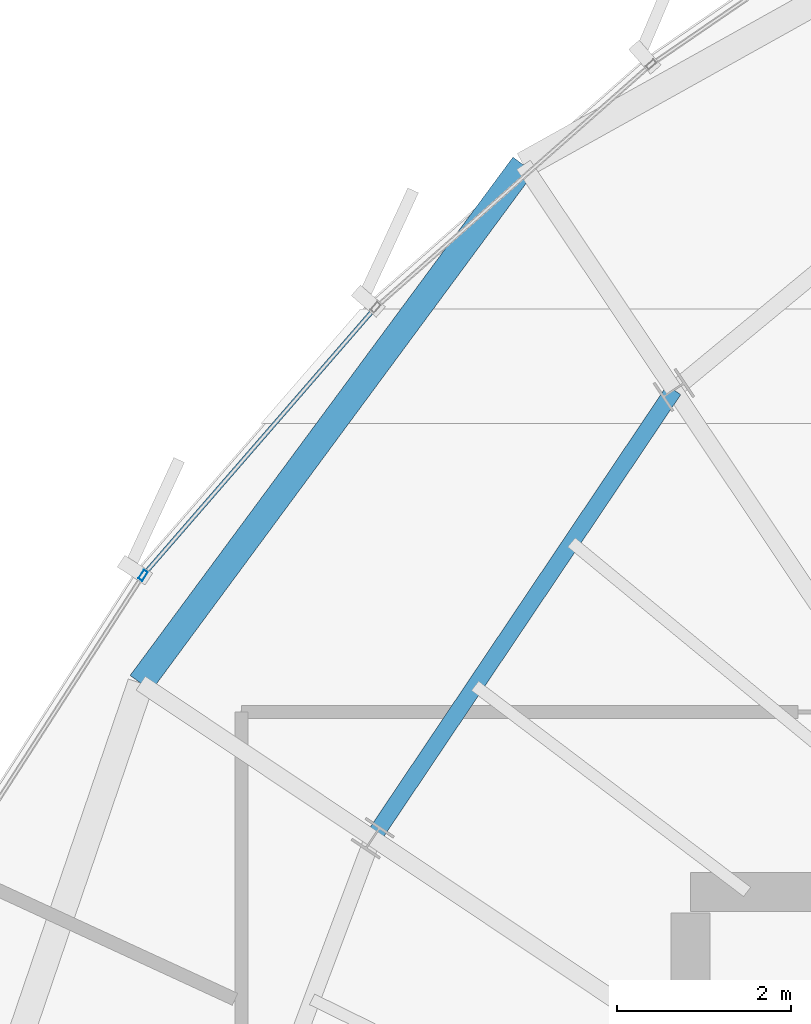
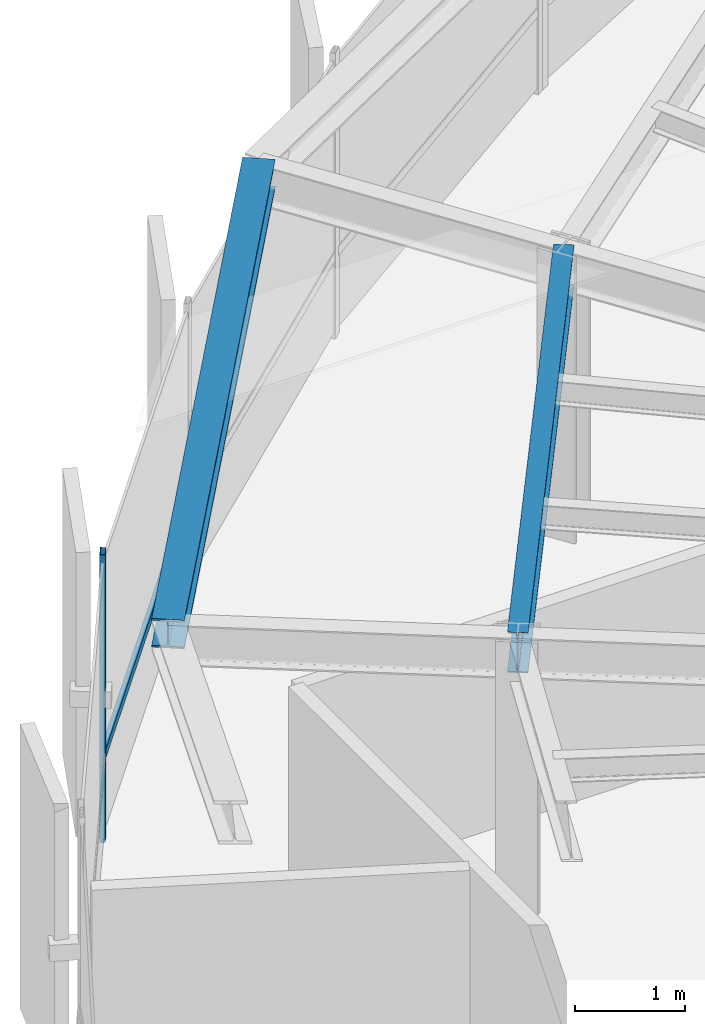
# One storey, part 19 of 35: 2 beams, 2 members, 1 element without a shape of its own.
"""IFC4 building model written with IfcOpenShell, lengths in metres."""

import ifcopenshell
import ifcopenshell.guid

model = None  # the IFC model being written
_history = None  # IfcOwnerHistory: only IFC2X3 demands one
_inside = {}  # id of a spatial element -> (the spatial element, [elements in it])
_under = {}  # id of a project, library or spatial element -> (it, [spatial elements below it])
_declared = {}  # id of a project -> (the project, [libraries it declares])
_typed = {}  # id of a type object -> (the type object, [elements of that type])
_made_of = {}  # id of a material, layer set ... -> (it, [elements and type objects made of it])


def new_model(schema):
    """Start an empty IFC model of exactly this schema.

    Asked for "IFC4X3", IfcOpenShell would pick the latest addendum, in which some entities
    have other attributes; the version numbers below select the first issue.
    IFC2X3 requires an IfcOwnerHistory on every rooted entity: one is made here for all.
    """
    global model, _history
    if schema == "IFC4X3":
        model = ifcopenshell.file(schema_version=(4, 3, 0, 0))
    else:
        model = ifcopenshell.file(schema=schema)
    _inside.clear()
    _under.clear()
    _declared.clear()
    _typed.clear()
    _made_of.clear()
    _history = None
    if model.schema == "IFC2X3":
        org = make("IfcOrganization", Name="unknown")
        user = make(
            "IfcPersonAndOrganization",
            ThePerson=make("IfcPerson", FamilyName="unknown"),
            TheOrganization=org,
        )
        app = make(
            "IfcApplication",
            ApplicationDeveloper=org,
            Version="unknown",
            ApplicationFullName="unknown",
            ApplicationIdentifier="unknown",
        )
        _history = make(
            "IfcOwnerHistory",
            OwningUser=user,
            OwningApplication=app,
            ChangeAction="ADDED",
            CreationDate=0,
        )
    return model


def make(cls, **values):
    """One entity of the class cls with the attributes given. An attribute that is None is left unset."""
    return model.create_entity(
        cls, **{name: value for name, value in values.items() if value is not None}
    )


def rooted(cls, **values):
    """An entity with a GlobalId (a new one), such as an element, a storey or a relation."""
    return make(cls, GlobalId=ifcopenshell.guid.new(), OwnerHistory=_history, **values)


def si_unit(unit_type, name, prefix=None):
    """IfcSIUnit, for example si_unit("LENGTHUNIT", "METRE", prefix="MILLI")."""
    return make("IfcSIUnit", UnitType=unit_type, Prefix=prefix, Name=name)


def assignment(units):
    """IfcUnitAssignment: the units of a project."""
    return None if units is None else make("IfcUnitAssignment", Units=units)


def point(xyz):
    """IfcCartesianPoint."""
    return None if xyz is None else make("IfcCartesianPoint", Coordinates=xyz)


def direction(xyz):
    """IfcDirection."""
    return None if xyz is None else make("IfcDirection", DirectionRatios=xyz)


def frame(location, z_axis=None, x_axis=None):
    """IfcAxis2Placement3D, a coordinate frame: its origin and axes. An axis left out is left unset."""
    return make(
        "IfcAxis2Placement3D",
        Location=point(location),
        Axis=direction(z_axis),
        RefDirection=direction(x_axis),
    )


def frame_2d(location, x_axis=None):
    """IfcAxis2Placement2D, a coordinate frame in the plane: its origin and x axis."""
    return make(
        "IfcAxis2Placement2D", Location=point(location), RefDirection=direction(x_axis)
    )


def origin():
    """The frame at (0, 0, 0) with its axes left unset."""
    return frame((0.0, 0.0, 0.0))


def origin_2d():
    """The frame at (0, 0) in the plane with its x axis left unset."""
    return frame_2d((0.0, 0.0))


def place(relative_to, where):
    """IfcLocalPlacement: puts the frame where relative to a parent placement (None: the world)."""
    return make(
        "IfcLocalPlacement", PlacementRelTo=relative_to, RelativePlacement=where
    )


def context(
    kind, dimensions, precision=None, world=None, true_north=None, identifier=None
):
    """IfcGeometricRepresentationContext, for example the 3D "Model" context."""
    return make(
        "IfcGeometricRepresentationContext",
        ContextIdentifier=identifier,
        ContextType=kind,
        CoordinateSpaceDimension=dimensions,
        Precision=precision,
        WorldCoordinateSystem=world,
        TrueNorth=true_north,
    )


def subcontext(parent, identifier, kind, view, scale=None):
    """IfcGeometricRepresentationSubContext, for example "Body" below "Model"."""
    return make(
        "IfcGeometricRepresentationSubContext",
        ContextIdentifier=identifier,
        ContextType=kind,
        ParentContext=parent,
        TargetScale=scale,
        TargetView=view,
    )


def project(units=None, contexts=None):
    """IfcProject with its units and contexts."""
    return rooted(
        "IfcProject",
        Name="project",
        RepresentationContexts=contexts,
        UnitsInContext=assignment(units),
    )


def spatial(cls, under=None, at=None, **own):
    """A site, building, storey or space (cls), placed at a placement, below another one or the project."""
    s = rooted(cls, ObjectPlacement=at, **own)
    if under is not None:
        _under.setdefault(under.id(), (under, []))[1].append(s)
    return s


def profile(cls, at=None, kind="AREA", **sizes):
    """A parametric profile (cls). Its sizes go by their IFC names, for example OverallWidth=200.0."""
    return make(cls, ProfileType=kind, Position=at, **sizes)


def hollow_rectangle(**sizes):
    """IfcRectangleHollowProfileDef."""
    return profile("IfcRectangleHollowProfileDef", **sizes)


def i_section(**sizes):
    """IfcIShapeProfileDef."""
    return profile("IfcIShapeProfileDef", **sizes)


def extrude(swept, where, along, depth):
    """IfcExtrudedAreaSolid: the profile swept, set in the frame where, extruded along a direction by depth."""
    return make(
        "IfcExtrudedAreaSolid",
        SweptArea=swept,
        Position=where,
        ExtrudedDirection=direction(along),
        Depth=depth,
    )


def shape(context_of_items, identifier, shape_type, items):
    """IfcShapeRepresentation: the items that make up one representation, for example the "Body"."""
    return make(
        "IfcShapeRepresentation",
        ContextOfItems=context_of_items,
        RepresentationIdentifier=identifier,
        RepresentationType=shape_type,
        Items=items,
    )


def source(mapping_origin, context_of_items, identifier, shape_type, items):
    """IfcRepresentationMap: a shape defined once, which mapped items show again and again."""
    return make(
        "IfcRepresentationMap",
        MappingOrigin=mapping_origin,
        MappedRepresentation=shape(context_of_items, identifier, shape_type, items),
    )


def transform(
    local_origin,
    x_axis=None,
    y_axis=None,
    z_axis=None,
    scale=None,
    scale2=None,
    scale3=None,
    uniform=True,
):
    """IfcCartesianTransformationOperator3D, or its non-uniform kind. x_axis, y_axis, z_axis: its Axis1, 2, 3."""
    if uniform:
        return make(
            "IfcCartesianTransformationOperator3D",
            Axis1=direction(x_axis),
            Axis2=direction(y_axis),
            LocalOrigin=point(local_origin),
            Scale=scale,
            Axis3=direction(z_axis),
        )
    return make(
        "IfcCartesianTransformationOperator3DnonUniform",
        Axis1=direction(x_axis),
        Axis2=direction(y_axis),
        LocalOrigin=point(local_origin),
        Scale=scale,
        Axis3=direction(z_axis),
        Scale2=scale2,
        Scale3=scale3,
    )


def mapped(mapping_source, mapping_target):
    """IfcMappedItem: shows the shape of a source again, moved by a transform."""
    return make(
        "IfcMappedItem", MappingSource=mapping_source, MappingTarget=mapping_target
    )


def material(Name=None, Category=None):
    """IfcMaterial."""
    return make("IfcMaterial", Name=Name, Category=Category)


def layer(
    of_material, thickness, ventilated=None, Name=None, Category=None, Priority=None
):
    """IfcMaterialLayer: one layer of a wall or slab, of a material (None: an air gap)."""
    return make(
        "IfcMaterialLayer",
        Material=of_material,
        LayerThickness=thickness,
        IsVentilated=ventilated,
        Name=Name,
        Category=Category,
        Priority=Priority,
    )


def layer_set(layers, Name=None):
    """IfcMaterialLayerSet."""
    return make("IfcMaterialLayerSet", MaterialLayers=layers, LayerSetName=Name)


def material_profile(
    of_material, cross_section, Name=None, Category=None, Priority=None
):
    """IfcMaterialProfile: a cross section and its material."""
    return make(
        "IfcMaterialProfile",
        Name=Name,
        Material=of_material,
        Profile=cross_section,
        Priority=Priority,
        Category=Category,
    )


def profile_set(profiles, Name=None, composite=None):
    """IfcMaterialProfileSet."""
    return make(
        "IfcMaterialProfileSet",
        Name=Name,
        MaterialProfiles=profiles,
        CompositeProfile=composite,
    )


def made_of(thing, what):
    """Note that an element or type object is made of a material, layer set ...; save() writes the relation."""
    if what is not None:
        _made_of.setdefault(what.id(), (what, []))[1].append(thing)
    return thing


def type_object(cls, material=None, **own):
    """A type object (cls), such as IfcWallType, which elements share."""
    return made_of(rooted(cls, **own), material)


def element(
    cls,
    number,
    at=None,
    inside=None,
    cuts=None,
    type_object=None,
    material=None,
    context=None,
    identifier="Body",
    shape_type=None,
    held_by="IfcProductDefinitionShape",
    body=None,
    shapes=None,
    **own,
):
    """One element of the class cls, such as IfcWall. Its Tag is "e" and its number.

    at: its placement. inside: the storey or other place that contains it. cuts: it is an
    opening in that element (IfcRelVoidsElement). A single representation is given by context,
    identifier, shape_type and body (its items); several are given by shapes. held_by: the class
    of the entity that holds the representations. save() writes the other relations.
    """
    e = rooted(cls, Tag="e%d" % number, ObjectPlacement=at, **own)
    if body is not None:
        shapes = [shape(context, identifier, shape_type, body)]
    if shapes is not None:
        e.Representation = make(held_by, Representations=shapes)
    if inside is not None:
        _inside.setdefault(inside.id(), (inside, []))[1].append(e)
    if cuts is not None:
        rooted(
            "IfcRelVoidsElement", RelatingBuildingElement=cuts, RelatedOpeningElement=e
        )
    if type_object is not None:
        _typed.setdefault(type_object.id(), (type_object, []))[1].append(e)
    return made_of(e, material)


def aggregate(whole, parts):
    """IfcRelAggregates: a whole, such as a stair, and the parts it consists of."""
    return rooted("IfcRelAggregates", RelatingObject=whole, RelatedObjects=parts)


def save(model, path):
    """Write the relations noted so far, then the file.

    IfcRelAggregates (storeys below a building ...), IfcRelContainedInSpatialStructure (elements
    in a storey), IfcRelDefinesByType, IfcRelAssociatesMaterial and IfcRelDeclares: one each for
    every whole, place, type object, material and project.
    """
    for whole, parts in _under.values():
        aggregate(whole, parts)
    for where, things in _inside.values():
        rooted(
            "IfcRelContainedInSpatialStructure",
            RelatedElements=things,
            RelatingStructure=where,
        )
    for kind, things in _typed.values():
        rooted("IfcRelDefinesByType", RelatedObjects=things, RelatingType=kind)
    for what, things in _made_of.values():
        rooted("IfcRelAssociatesMaterial", RelatedObjects=things, RelatingMaterial=what)
    for by, libraries in _declared.values():
        rooted("IfcRelDeclares", RelatingContext=by, RelatedDefinitions=libraries)
    model.write(path)


model = new_model("IFC4")

# Units and contexts
model_context = context("Model", 3, precision=1e-05, world=origin(), true_north=direction((0.0, 1.0)))
body_context = subcontext(model_context, "Body", "Model", "MODEL_VIEW")
ifc_project = project(units=[si_unit("LENGTHUNIT", "METRE"), si_unit("AREAUNIT", "SQUARE_METRE"), si_unit("VOLUMEUNIT", "CUBIC_METRE"), si_unit("PLANEANGLEUNIT", "RADIAN"), si_unit("MASSUNIT", "GRAM", prefix="KILO"), si_unit("THERMODYNAMICTEMPERATUREUNIT", "KELVIN")], contexts=[model_context])

# Site, building, storey
site_placement = place(None, origin())
site = spatial("IfcSite", under=ifc_project, at=site_placement, CompositionType="ELEMENT")
building_placement = place(site_placement, origin())
building = spatial("IfcBuilding", under=site, at=building_placement, Name="Kethvar Cultural Tower", CompositionType="ELEMENT")
storey_placement = place(building_placement, frame((0.0, 0.0, 249.10009765625)))
storey = spatial("IfcBuildingStorey", under=building, at=storey_placement, Name="L65", CompositionType="ELEMENT", Elevation=249.10009765625)

# Beams
ifc_material_1 = material(Name="Steel S355J2", Category="steel")
ifc_material_profile_1 = material_profile(ifc_material_1, i_section(OverallWidth=0.18994140625, OverallDepth=0.449951171875, WebThickness=0.009521484375, FlangeThickness=0.0146484375, FilletRadius=0.02099609375, at=origin_2d()), Name="Steel S355J2 — IPE450")
ifc_profile_set_1 = profile_set([ifc_material_profile_1], Name="Steel S355J2 — IPE450")
beam_type_1 = type_object("IfcBeamType", Name="BM-IPE450", PredefinedType="BEAM", material=ifc_profile_set_1)
shared_shape_1 = source(origin(), body_context, "Body", "SweptSolid", [
    extrude(i_section(OverallWidth=0.18994140625, OverallDepth=0.449951171875, WebThickness=0.009521484375, FlangeThickness=0.0146484375, FilletRadius=0.02099609375, at=origin_2d()), origin(), (0.0, 0.0, 1.0), 6.192626953125),
])
beam_1_placement = place(storey_placement, frame((37.8095703125, 41.255126953125, 2.98291015625), z_axis=(-0.557698912025, -0.830043326295, 0.0), x_axis=(0.830043326295, -0.557698912025, 0.0)))
element("IfcBeam", 1, at=beam_1_placement, inside=storey, type_object=beam_type_1, Name="L65 Column Ring Tie Beam CR-06", PredefinedType="BEAM", context=body_context, shape_type="MappedRepresentation", body=[
    mapped(shared_shape_1, transform((0.0, 0.0, 0.0), scale=1.0)),
])
ifc_material_profile_2 = material_profile(ifc_material_1, i_section(OverallWidth=0.300048828125, OverallDepth=0.320068359375, WebThickness=0.011474609375, FlangeThickness=0.0205078125, FilletRadius=0.027099609375, at=origin_2d()), Name="Steel S355J2 — HEB320")
ifc_profile_set_2 = profile_set([ifc_material_profile_2], Name="Steel S355J2 — HEB320")
beam_type_2 = type_object("IfcBeamType", Name="BM-SP320", PredefinedType="SPANDREL", material=ifc_profile_set_2)
shared_shape_2 = source(origin(), body_context, "Body", "SweptSolid", [
    extrude(i_section(OverallWidth=0.300048828125, OverallDepth=0.320068359375, WebThickness=0.011474609375, FlangeThickness=0.0205078125, FilletRadius=0.027099609375, at=origin_2d()), origin(), (0.0, 0.0, 1.0), 7.388671875),
])
beam_2_placement = place(storey_placement, frame((36.085205078125, 43.835693359375, 3.0478515625), z_axis=(-0.594142040378, -0.804360140643, 0.0), x_axis=(0.804360140643, -0.594142040378, 0.0)))
element("IfcBeam", 2, at=beam_2_placement, inside=storey, type_object=beam_type_2, Name="L65 Perimeter Spandrel Beam SP-06", PredefinedType="SPANDREL", context=body_context, shape_type="MappedRepresentation", body=[
    mapped(shared_shape_2, transform((0.0, 0.0, 0.0), scale=1.0)),
])

# Curtain wall, members
ifc_material_2 = material(Name="Aluminium 6063-T6", Category="aluminium")
ifc_layer = layer(ifc_material_2, 0.179931640625, Name="Aluminium 6063-T6", Category="aluminium")
ifc_layer_set = layer_set([ifc_layer], Name="Aluminium 6063-T6 (180 mm)")
curtain_wall_type = type_object("IfcCurtainWallType", Name="CW-SYS-05-Z56", PredefinedType="NOTDEFINED", material=ifc_layer_set)
curtain_wall_placement = place(storey_placement, origin())
curtain_wall = element("IfcCurtainWall", 3, at=curtain_wall_placement, inside=storey, type_object=curtain_wall_type, Name="L65 Curtain Wall Run 02", PredefinedType="NOTDEFINED")
ifc_material_profile_3 = material_profile(ifc_material_2, hollow_rectangle(XDim=0.054931640625, YDim=0.1201171875, WallThickness=0.00390625, at=origin_2d()), Name="Aluminium 6063-T6 — RHS120x55x4")
ifc_profile_set_3 = profile_set([ifc_material_profile_3], Name="Aluminium 6063-T6 — RHS120x55x4")
member_type_1 = type_object("IfcMemberType", Name="CW-SYS-05-Z56-MUL", PredefinedType="MULLION", material=ifc_profile_set_3)
shared_shape_3 = source(origin(), body_context, "Body", "SweptSolid", [
    extrude(hollow_rectangle(XDim=0.054931640625, YDim=0.1201171875, WallThickness=0.00390625, at=origin_2d()), origin(), (0.0, 0.0, 1.0), 3.2099609375),
])
member_1_placement = place(storey_placement, frame((31.722412109375, 39.12939453125, 0.0), z_axis=(0.0, 0.0, 1.0), x_axis=(0.840585512167, -0.541678868643, 0.0)))
member_1 = element("IfcMember", 4, at=member_1_placement, type_object=member_type_1, Name="CW-L65-R02 Mullion 4", PredefinedType="MULLION", context=body_context, shape_type="MappedRepresentation", body=[
    mapped(shared_shape_3, transform((0.0, 0.0, 0.0), scale=1.0)),
])
ifc_material_profile_4 = material_profile(ifc_material_2, hollow_rectangle(XDim=0.050048828125, YDim=0.10009765625, WallThickness=0.00390625, at=origin_2d()), Name="Aluminium 6063-T6 — RHS100x50x4")
ifc_profile_set_4 = profile_set([ifc_material_profile_4], Name="Aluminium 6063-T6 — RHS100x50x4")
member_type_2 = type_object("IfcMemberType", Name="CW-SYS-05-Z56-TRN", PredefinedType="USERDEFINED", material=ifc_profile_set_4)
shared_shape_4 = source(origin(), body_context, "Body", "SweptSolid", [
    extrude(hollow_rectangle(XDim=0.050048828125, YDim=0.10009765625, WallThickness=0.00390625, at=origin_2d()), origin(), (0.0, 0.0, 1.0), 4.00244140625),
])
member_2_placement = place(storey_placement, frame((34.36279296875, 42.171142578125, 0.949951171875), z_axis=(-0.655380952925, -0.755298488376, 0.0), x_axis=(0.755298488376, -0.655380952925, 0.0)))
member_2 = element("IfcMember", 5, at=member_2_placement, type_object=member_type_2, Name="CW-L65-R02 Transom 3", ObjectType="TRANSOM", PredefinedType="USERDEFINED", context=body_context, shape_type="MappedRepresentation", body=[
    mapped(shared_shape_4, transform((0.0, 0.0, 0.0), scale=1.0)),
])
aggregate(curtain_wall, [member_1, member_2])

save(model, "model.ifc")
